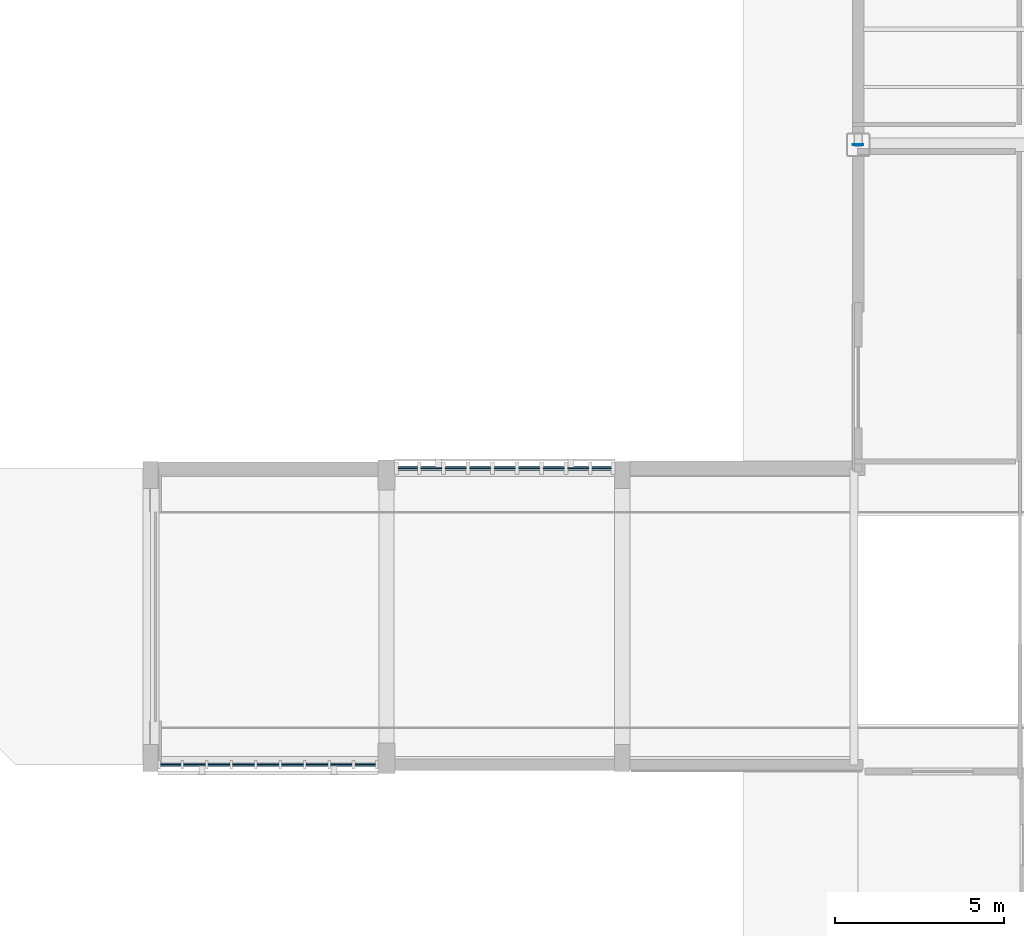
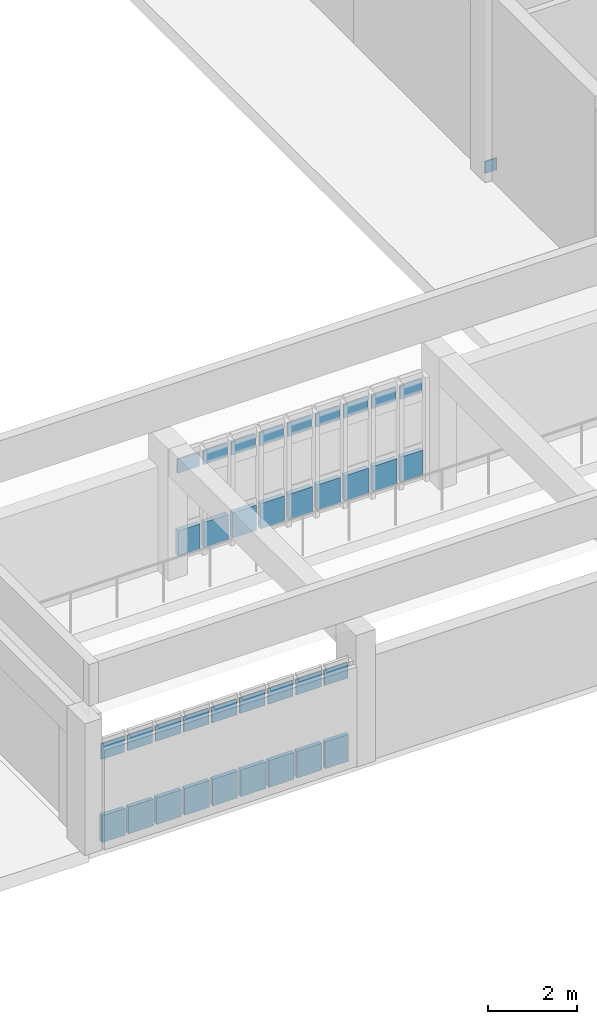
# One storey, part 73 of 111: 37 plates, 2 elements without a shape of their own.
"""IFC4 building model written with IfcOpenShell, lengths in metres."""

from ifc_helpers import new_model, si_unit, direction, frame, origin, origin_2d, place, context, subcontext, project, spatial, rectangle, extrude, material, layer, layer_set, type_object, element, aggregate, save


model = new_model("IFC4")

# Units and contexts
model_context = context("Model", 3, precision=1e-05, world=origin(), true_north=direction((0.0, 1.0)))
body_context = subcontext(model_context, "Body", "Model", "MODEL_VIEW")
ifc_project = project(units=[si_unit("LENGTHUNIT", "METRE"), si_unit("AREAUNIT", "SQUARE_METRE"), si_unit("VOLUMEUNIT", "CUBIC_METRE"), si_unit("PLANEANGLEUNIT", "RADIAN"), si_unit("MASSUNIT", "GRAM", prefix="KILO")], contexts=[model_context])

# Site, building, storey
site_placement = place(None, origin())
site = spatial("IfcSite", under=ifc_project, at=site_placement, CompositionType="ELEMENT")
building_placement = place(site_placement, origin())
building = spatial("IfcBuilding", under=site, at=building_placement, Name="Larkvane Passage Sports Hall", CompositionType="ELEMENT")
storey_placement = place(building_placement, origin())
storey = spatial("IfcBuildingStorey", under=building, at=storey_placement, Name="L00", CompositionType="ELEMENT", Elevation=0.0)

# Curtain wall, plates
ifc_material_1 = material(Name="Thermally broken aluminium and low-E glazing", Category="aluminium")
curtain_wall_type_1 = type_object("IfcCurtainWallType", Name="CW-STICK-FOYER", PredefinedType="USERDEFINED", material=ifc_material_1)
curtain_wall_1_placement = place(storey_placement, origin())
curtain_wall_1 = element("IfcCurtainWall", 1, at=curtain_wall_1_placement, inside=storey, type_object=curtain_wall_type_1, Name="Curtain wall CW5-L00-006", ObjectType="STICK CURTAIN WALL", PredefinedType="USERDEFINED")
ifc_material_2 = material(Name="Fire-stopped shadow-box spandrel panel")
ifc_layer_1 = layer(ifc_material_2, 0.10498046875)
ifc_layer_set_1 = layer_set([ifc_layer_1], Name="Fire-stopped shadow-box spandrel panel")
plate_type_1 = type_object("IfcPlateType", Name="CWP-SPD-105", PredefinedType="CURTAIN_PANEL", material=ifc_layer_set_1)
plate_1_placement = place(storey_placement, frame((20.171142578125, 33.199951171875, 0.080078125), z_axis=(0.0, 0.0, 1.0), x_axis=(-1.0, 0.0, 0.0)))
plate_1 = element("IfcPlate", 2, at=plate_1_placement, type_object=plate_type_1, Name="CW-03 panel 1.1", PredefinedType="CURTAIN_PANEL", context=body_context, shape_type="SweptSolid", body=[
    extrude(rectangle(XDim=0.60595703125, YDim=0.10498046875, at=origin_2d()), origin(), (0.0, 0.0, 1.0), 0.72998046875),
])
plate_2_placement = place(storey_placement, frame((19.465087890625, 33.199951171875, 0.080078125), z_axis=(0.0, 0.0, 1.0), x_axis=(-1.0, 0.0, 0.0)))
plate_2 = element("IfcPlate", 3, at=plate_2_placement, type_object=plate_type_1, Name="CW-03 panel 2.1", PredefinedType="CURTAIN_PANEL", context=body_context, shape_type="SweptSolid", body=[
    extrude(rectangle(XDim=0.64599609375, YDim=0.10498046875, at=origin_2d()), origin(), (0.0, 0.0, 1.0), 0.72998046875),
])
plate_3_placement = place(storey_placement, frame((18.7392578125, 33.199951171875, 0.080078125), z_axis=(0.0, 0.0, 1.0), x_axis=(-1.0, 0.0, 0.0)))
plate_3 = element("IfcPlate", 4, at=plate_3_placement, type_object=plate_type_1, Name="CW-03 panel 3.1", PredefinedType="CURTAIN_PANEL", context=body_context, shape_type="SweptSolid", body=[
    extrude(rectangle(XDim=0.64599609375, YDim=0.10498046875, at=origin_2d()), origin(), (0.0, 0.0, 1.0), 0.72998046875),
])
plate_4_placement = place(storey_placement, frame((18.013427734375, 33.199951171875, 0.080078125), z_axis=(0.0, 0.0, 1.0), x_axis=(-1.0, 0.0, 0.0)))
plate_4 = element("IfcPlate", 5, at=plate_4_placement, type_object=plate_type_1, Name="CW-03 panel 4.1", PredefinedType="CURTAIN_PANEL", context=body_context, shape_type="SweptSolid", body=[
    extrude(rectangle(XDim=0.64599609375, YDim=0.10498046875, at=origin_2d()), origin(), (0.0, 0.0, 1.0), 0.72998046875),
])
plate_5_placement = place(storey_placement, frame((17.28759765625, 33.199951171875, 0.080078125), z_axis=(0.0, 0.0, 1.0), x_axis=(-1.0, 0.0, 0.0)))
plate_5 = element("IfcPlate", 6, at=plate_5_placement, type_object=plate_type_1, Name="CW-03 panel 5.1", PredefinedType="CURTAIN_PANEL", context=body_context, shape_type="SweptSolid", body=[
    extrude(rectangle(XDim=0.64599609375, YDim=0.10498046875, at=origin_2d()), origin(), (0.0, 0.0, 1.0), 0.72998046875),
])
plate_6_placement = place(storey_placement, frame((16.5615234375, 33.199951171875, 0.080078125), z_axis=(0.0, 0.0, 1.0), x_axis=(-1.0, 0.0, 0.0)))
plate_6 = element("IfcPlate", 7, at=plate_6_placement, type_object=plate_type_1, Name="CW-03 panel 6.1", PredefinedType="CURTAIN_PANEL", context=body_context, shape_type="SweptSolid", body=[
    extrude(rectangle(XDim=0.64599609375, YDim=0.10498046875, at=origin_2d()), origin(), (0.0, 0.0, 1.0), 0.72998046875),
])
plate_7_placement = place(storey_placement, frame((15.835693359375, 33.199951171875, 0.080078125), z_axis=(0.0, 0.0, 1.0), x_axis=(-1.0, 0.0, 0.0)))
plate_7 = element("IfcPlate", 8, at=plate_7_placement, type_object=plate_type_1, Name="CW-03 panel 7.1", PredefinedType="CURTAIN_PANEL", context=body_context, shape_type="SweptSolid", body=[
    extrude(rectangle(XDim=0.64599609375, YDim=0.10498046875, at=origin_2d()), origin(), (0.0, 0.0, 1.0), 0.72998046875),
])
plate_8_placement = place(storey_placement, frame((15.10986328125, 33.199951171875, 0.080078125), z_axis=(0.0, 0.0, 1.0), x_axis=(-1.0, 0.0, 0.0)))
plate_8 = element("IfcPlate", 9, at=plate_8_placement, type_object=plate_type_1, Name="CW-03 panel 8.1", PredefinedType="CURTAIN_PANEL", context=body_context, shape_type="SweptSolid", body=[
    extrude(rectangle(XDim=0.64599609375, YDim=0.10498046875, at=origin_2d()), origin(), (0.0, 0.0, 1.0), 0.72998046875),
])
plate_9_placement = place(storey_placement, frame((14.404052734375, 33.199951171875, 0.080078125), z_axis=(0.0, 0.0, 1.0), x_axis=(-1.0, 0.0, 0.0)))
plate_9 = element("IfcPlate", 10, at=plate_9_placement, type_object=plate_type_1, Name="CW-03 panel 9.1", PredefinedType="CURTAIN_PANEL", context=body_context, shape_type="SweptSolid", body=[
    extrude(rectangle(XDim=0.60595703125, YDim=0.10498046875, at=origin_2d()), origin(), (0.0, 0.0, 1.0), 0.72998046875),
])

curtain_wall_type_2 = type_object("IfcCurtainWallType", Name="CW-CLINIC", PredefinedType="USERDEFINED", material=ifc_material_1)
curtain_wall_2_placement = place(storey_placement, origin())
curtain_wall_2 = element("IfcCurtainWall", 11, at=curtain_wall_2_placement, inside=storey, type_object=curtain_wall_type_2, Name="Curtain wall CW5-L00-007", ObjectType="UNITISED CURTAIN WALL", PredefinedType="USERDEFINED")
ifc_material_3 = material(Name="Deep insulated facade spandrel panel")
ifc_layer_2 = layer(ifc_material_3, 0.125)
ifc_layer_set_2 = layer_set([ifc_layer_2], Name="Deep insulated facade spandrel panel")
plate_type_2 = type_object("IfcPlateType", Name="CWP-SPD-125", PredefinedType="CURTAIN_PANEL", material=ifc_layer_set_2)
plate_10_placement = place(storey_placement, frame((21.4365234375, 42.0, 0.10986328125), z_axis=(0.0, 0.0, 1.0), x_axis=(1.0, 0.0, 0.0)))
plate_10 = element("IfcPlate", 12, at=plate_10_placement, type_object=plate_type_2, Name="CW-05 panel 1.1", PredefinedType="CURTAIN_PANEL", context=body_context, shape_type="SweptSolid", body=[
    extrude(rectangle(XDim=0.560791015625, YDim=0.125, at=origin_2d()), origin(), (0.0, 0.0, 1.0), 0.68505859375),
])
plate_11_placement = place(storey_placement, frame((22.134765625, 42.0, 0.10986328125), z_axis=(0.0, 0.0, 1.0), x_axis=(1.0, 0.0, 0.0)))
plate_11 = element("IfcPlate", 13, at=plate_11_placement, type_object=plate_type_2, Name="CW-05 panel 2.1", PredefinedType="CURTAIN_PANEL", context=body_context, shape_type="SweptSolid", body=[
    extrude(rectangle(XDim=0.615966796875, YDim=0.125, at=origin_2d()), origin(), (0.0, 0.0, 1.0), 0.68505859375),
])
plate_12_placement = place(storey_placement, frame((22.86083984375, 42.0, 0.10986328125), z_axis=(0.0, 0.0, 1.0), x_axis=(1.0, 0.0, 0.0)))
plate_12 = element("IfcPlate", 14, at=plate_12_placement, type_object=plate_type_2, Name="CW-05 panel 3.1", PredefinedType="CURTAIN_PANEL", context=body_context, shape_type="SweptSolid", body=[
    extrude(rectangle(XDim=0.615966796875, YDim=0.125, at=origin_2d()), origin(), (0.0, 0.0, 1.0), 0.68505859375),
])
plate_13_placement = place(storey_placement, frame((23.586669921875, 42.0, 0.10986328125), z_axis=(0.0, 0.0, 1.0), x_axis=(1.0, 0.0, 0.0)))
plate_13 = element("IfcPlate", 15, at=plate_13_placement, type_object=plate_type_2, Name="CW-05 panel 4.1", PredefinedType="CURTAIN_PANEL", context=body_context, shape_type="SweptSolid", body=[
    extrude(rectangle(XDim=0.615966796875, YDim=0.125, at=origin_2d()), origin(), (0.0, 0.0, 1.0), 0.68505859375),
])
plate_14_placement = place(storey_placement, frame((24.3125, 42.0, 0.10986328125), z_axis=(0.0, 0.0, 1.0), x_axis=(1.0, 0.0, 0.0)))
plate_14 = element("IfcPlate", 16, at=plate_14_placement, type_object=plate_type_2, Name="CW-05 panel 5.1", PredefinedType="CURTAIN_PANEL", context=body_context, shape_type="SweptSolid", body=[
    extrude(rectangle(XDim=0.615966796875, YDim=0.125, at=origin_2d()), origin(), (0.0, 0.0, 1.0), 0.68505859375),
])
plate_15_placement = place(storey_placement, frame((25.038330078125, 42.0, 0.10986328125), z_axis=(0.0, 0.0, 1.0), x_axis=(1.0, 0.0, 0.0)))
plate_15 = element("IfcPlate", 17, at=plate_15_placement, type_object=plate_type_2, Name="CW-05 panel 6.1", PredefinedType="CURTAIN_PANEL", context=body_context, shape_type="SweptSolid", body=[
    extrude(rectangle(XDim=0.615966796875, YDim=0.125, at=origin_2d()), origin(), (0.0, 0.0, 1.0), 0.68505859375),
])
plate_16_placement = place(storey_placement, frame((25.76416015625, 42.0, 0.10986328125), z_axis=(0.0, 0.0, 1.0), x_axis=(1.0, 0.0, 0.0)))
plate_16 = element("IfcPlate", 18, at=plate_16_placement, type_object=plate_type_2, Name="CW-05 panel 7.1", PredefinedType="CURTAIN_PANEL", context=body_context, shape_type="SweptSolid", body=[
    extrude(rectangle(XDim=0.615966796875, YDim=0.125, at=origin_2d()), origin(), (0.0, 0.0, 1.0), 0.68505859375),
])
plate_17_placement = place(storey_placement, frame((26.490234375, 42.0, 0.10986328125), z_axis=(0.0, 0.0, 1.0), x_axis=(1.0, 0.0, 0.0)))
plate_17 = element("IfcPlate", 19, at=plate_17_placement, type_object=plate_type_2, Name="CW-05 panel 8.1", PredefinedType="CURTAIN_PANEL", context=body_context, shape_type="SweptSolid", body=[
    extrude(rectangle(XDim=0.615966796875, YDim=0.125, at=origin_2d()), origin(), (0.0, 0.0, 1.0), 0.68505859375),
])
plate_18_placement = place(storey_placement, frame((27.1884765625, 42.0, 0.10986328125), z_axis=(0.0, 0.0, 1.0), x_axis=(1.0, 0.0, 0.0)))
plate_18 = element("IfcPlate", 20, at=plate_18_placement, type_object=plate_type_2, Name="CW-05 panel 9.1", PredefinedType="CURTAIN_PANEL", context=body_context, shape_type="SweptSolid", body=[
    extrude(rectangle(XDim=0.560791015625, YDim=0.125, at=origin_2d()), origin(), (0.0, 0.0, 1.0), 0.68505859375),
])

# Plate
ifc_material_4 = material(Name="High-impact court low-E glazing", Category="glass")
ifc_layer_3 = layer(ifc_material_4, 0.035888671875)
ifc_layer_set_3 = layer_set([ifc_layer_3], Name="High-impact court low-E glazing")
plate_type_3 = type_object("IfcPlateType", Name="CWP-VIS-36", PredefinedType="CURTAIN_PANEL", material=ifc_layer_set_3)
plate_19_placement = place(storey_placement, frame((20.171142578125, 33.199951171875, 2.328125), z_axis=(0.0, 0.0, 1.0), x_axis=(-1.0, 0.0, 0.0)))
plate_19 = element("IfcPlate", 21, at=plate_19_placement, type_object=plate_type_3, Name="CW-03 panel 1.3", PredefinedType="CURTAIN_PANEL", context=body_context, shape_type="SweptSolid", body=[
    extrude(rectangle(XDim=0.60595703125, YDim=0.035888671875, at=origin_2d()), origin(), (0.0, 0.0, 1.0), 0.429931640625),
])

plate_20_placement = place(storey_placement, frame((19.465087890625, 33.199951171875, 2.328125), z_axis=(0.0, 0.0, 1.0), x_axis=(-1.0, 0.0, 0.0)))
plate_20 = element("IfcPlate", 22, at=plate_20_placement, type_object=plate_type_3, Name="CW-03 panel 2.3", PredefinedType="CURTAIN_PANEL", context=body_context, shape_type="SweptSolid", body=[
    extrude(rectangle(XDim=0.64599609375, YDim=0.035888671875, at=origin_2d()), origin(), (0.0, 0.0, 1.0), 0.429931640625),
])

plate_21_placement = place(storey_placement, frame((18.7392578125, 33.199951171875, 2.328125), z_axis=(0.0, 0.0, 1.0), x_axis=(-1.0, 0.0, 0.0)))
plate_21 = element("IfcPlate", 23, at=plate_21_placement, type_object=plate_type_3, Name="CW-03 panel 3.3", PredefinedType="CURTAIN_PANEL", context=body_context, shape_type="SweptSolid", body=[
    extrude(rectangle(XDim=0.64599609375, YDim=0.035888671875, at=origin_2d()), origin(), (0.0, 0.0, 1.0), 0.429931640625),
])

plate_22_placement = place(storey_placement, frame((18.013427734375, 33.199951171875, 2.328125), z_axis=(0.0, 0.0, 1.0), x_axis=(-1.0, 0.0, 0.0)))
plate_22 = element("IfcPlate", 24, at=plate_22_placement, type_object=plate_type_3, Name="CW-03 panel 4.3", PredefinedType="CURTAIN_PANEL", context=body_context, shape_type="SweptSolid", body=[
    extrude(rectangle(XDim=0.64599609375, YDim=0.035888671875, at=origin_2d()), origin(), (0.0, 0.0, 1.0), 0.429931640625),
])

plate_23_placement = place(storey_placement, frame((17.28759765625, 33.199951171875, 2.328125), z_axis=(0.0, 0.0, 1.0), x_axis=(-1.0, 0.0, 0.0)))
plate_23 = element("IfcPlate", 25, at=plate_23_placement, type_object=plate_type_3, Name="CW-03 panel 5.3", PredefinedType="CURTAIN_PANEL", context=body_context, shape_type="SweptSolid", body=[
    extrude(rectangle(XDim=0.64599609375, YDim=0.035888671875, at=origin_2d()), origin(), (0.0, 0.0, 1.0), 0.429931640625),
])

plate_24_placement = place(storey_placement, frame((16.5615234375, 33.199951171875, 2.328125), z_axis=(0.0, 0.0, 1.0), x_axis=(-1.0, 0.0, 0.0)))
plate_24 = element("IfcPlate", 26, at=plate_24_placement, type_object=plate_type_3, Name="CW-03 panel 6.3", PredefinedType="CURTAIN_PANEL", context=body_context, shape_type="SweptSolid", body=[
    extrude(rectangle(XDim=0.64599609375, YDim=0.035888671875, at=origin_2d()), origin(), (0.0, 0.0, 1.0), 0.429931640625),
])

plate_25_placement = place(storey_placement, frame((15.835693359375, 33.199951171875, 2.328125), z_axis=(0.0, 0.0, 1.0), x_axis=(-1.0, 0.0, 0.0)))
plate_25 = element("IfcPlate", 27, at=plate_25_placement, type_object=plate_type_3, Name="CW-03 panel 7.3", PredefinedType="CURTAIN_PANEL", context=body_context, shape_type="SweptSolid", body=[
    extrude(rectangle(XDim=0.64599609375, YDim=0.035888671875, at=origin_2d()), origin(), (0.0, 0.0, 1.0), 0.429931640625),
])

plate_26_placement = place(storey_placement, frame((15.10986328125, 33.199951171875, 2.328125), z_axis=(0.0, 0.0, 1.0), x_axis=(-1.0, 0.0, 0.0)))
plate_26 = element("IfcPlate", 28, at=plate_26_placement, type_object=plate_type_3, Name="CW-03 panel 8.3", PredefinedType="CURTAIN_PANEL", context=body_context, shape_type="SweptSolid", body=[
    extrude(rectangle(XDim=0.64599609375, YDim=0.035888671875, at=origin_2d()), origin(), (0.0, 0.0, 1.0), 0.429931640625),
])

plate_27_placement = place(storey_placement, frame((14.404052734375, 33.199951171875, 2.328125), z_axis=(0.0, 0.0, 1.0), x_axis=(-1.0, 0.0, 0.0)))
plate_27 = element("IfcPlate", 29, at=plate_27_placement, type_object=plate_type_3, Name="CW-03 panel 9.3", PredefinedType="CURTAIN_PANEL", context=body_context, shape_type="SweptSolid", body=[
    extrude(rectangle(XDim=0.60595703125, YDim=0.035888671875, at=origin_2d()), origin(), (0.0, 0.0, 1.0), 0.429931640625),
])

aggregate(curtain_wall_1, [plate_1, plate_19, plate_2, plate_20, plate_3, plate_21, plate_4, plate_22, plate_5, plate_23, plate_6, plate_24, plate_7, plate_25, plate_8, plate_26, plate_9, plate_27])

ifc_material_5 = material(Name="Triple-laminated typhoon glazing", Category="glass")
ifc_layer_4 = layer(ifc_material_5, 0.0419921875)
ifc_layer_set_4 = layer_set([ifc_layer_4], Name="Triple-laminated typhoon glazing")
plate_type_4 = type_object("IfcPlateType", Name="CWP-VIS-42", PredefinedType="CURTAIN_PANEL", material=ifc_layer_set_4)
plate_28_placement = place(storey_placement, frame((21.4365234375, 42.0, 2.3427734375), z_axis=(0.0, 0.0, 1.0), x_axis=(1.0, 0.0, 0.0)))
plate_28 = element("IfcPlate", 30, at=plate_28_placement, type_object=plate_type_4, Name="CW-05 panel 1.3", PredefinedType="CURTAIN_PANEL", context=body_context, shape_type="SweptSolid", body=[
    extrude(rectangle(XDim=0.560791015625, YDim=0.0419921875, at=origin_2d()), origin(), (0.0, 0.0, 1.0), 0.385009765625),
])

plate_29_placement = place(storey_placement, frame((22.134765625, 42.0, 2.3427734375), z_axis=(0.0, 0.0, 1.0), x_axis=(1.0, 0.0, 0.0)))
plate_29 = element("IfcPlate", 31, at=plate_29_placement, type_object=plate_type_4, Name="CW-05 panel 2.3", PredefinedType="CURTAIN_PANEL", context=body_context, shape_type="SweptSolid", body=[
    extrude(rectangle(XDim=0.615966796875, YDim=0.0419921875, at=origin_2d()), origin(), (0.0, 0.0, 1.0), 0.385009765625),
])

plate_30_placement = place(storey_placement, frame((22.86083984375, 42.0, 2.3427734375), z_axis=(0.0, 0.0, 1.0), x_axis=(1.0, 0.0, 0.0)))
plate_30 = element("IfcPlate", 32, at=plate_30_placement, type_object=plate_type_4, Name="CW-05 panel 3.3", PredefinedType="CURTAIN_PANEL", context=body_context, shape_type="SweptSolid", body=[
    extrude(rectangle(XDim=0.615966796875, YDim=0.0419921875, at=origin_2d()), origin(), (0.0, 0.0, 1.0), 0.385009765625),
])

plate_31_placement = place(storey_placement, frame((23.586669921875, 42.0, 2.3427734375), z_axis=(0.0, 0.0, 1.0), x_axis=(1.0, 0.0, 0.0)))
plate_31 = element("IfcPlate", 33, at=plate_31_placement, type_object=plate_type_4, Name="CW-05 panel 4.3", PredefinedType="CURTAIN_PANEL", context=body_context, shape_type="SweptSolid", body=[
    extrude(rectangle(XDim=0.615966796875, YDim=0.0419921875, at=origin_2d()), origin(), (0.0, 0.0, 1.0), 0.385009765625),
])

plate_32_placement = place(storey_placement, frame((24.3125, 42.0, 2.3427734375), z_axis=(0.0, 0.0, 1.0), x_axis=(1.0, 0.0, 0.0)))
plate_32 = element("IfcPlate", 34, at=plate_32_placement, type_object=plate_type_4, Name="CW-05 panel 5.3", PredefinedType="CURTAIN_PANEL", context=body_context, shape_type="SweptSolid", body=[
    extrude(rectangle(XDim=0.615966796875, YDim=0.0419921875, at=origin_2d()), origin(), (0.0, 0.0, 1.0), 0.385009765625),
])

plate_33_placement = place(storey_placement, frame((25.038330078125, 42.0, 2.3427734375), z_axis=(0.0, 0.0, 1.0), x_axis=(1.0, 0.0, 0.0)))
plate_33 = element("IfcPlate", 35, at=plate_33_placement, type_object=plate_type_4, Name="CW-05 panel 6.3", PredefinedType="CURTAIN_PANEL", context=body_context, shape_type="SweptSolid", body=[
    extrude(rectangle(XDim=0.615966796875, YDim=0.0419921875, at=origin_2d()), origin(), (0.0, 0.0, 1.0), 0.385009765625),
])

plate_34_placement = place(storey_placement, frame((25.76416015625, 42.0, 2.3427734375), z_axis=(0.0, 0.0, 1.0), x_axis=(1.0, 0.0, 0.0)))
plate_34 = element("IfcPlate", 36, at=plate_34_placement, type_object=plate_type_4, Name="CW-05 panel 7.3", PredefinedType="CURTAIN_PANEL", context=body_context, shape_type="SweptSolid", body=[
    extrude(rectangle(XDim=0.615966796875, YDim=0.0419921875, at=origin_2d()), origin(), (0.0, 0.0, 1.0), 0.385009765625),
])

plate_35_placement = place(storey_placement, frame((26.490234375, 42.0, 2.3427734375), z_axis=(0.0, 0.0, 1.0), x_axis=(1.0, 0.0, 0.0)))
plate_35 = element("IfcPlate", 37, at=plate_35_placement, type_object=plate_type_4, Name="CW-05 panel 8.3", PredefinedType="CURTAIN_PANEL", context=body_context, shape_type="SweptSolid", body=[
    extrude(rectangle(XDim=0.615966796875, YDim=0.0419921875, at=origin_2d()), origin(), (0.0, 0.0, 1.0), 0.385009765625),
])

plate_36_placement = place(storey_placement, frame((27.1884765625, 42.0, 2.3427734375), z_axis=(0.0, 0.0, 1.0), x_axis=(1.0, 0.0, 0.0)))
plate_36 = element("IfcPlate", 38, at=plate_36_placement, type_object=plate_type_4, Name="CW-05 panel 9.3", PredefinedType="CURTAIN_PANEL", context=body_context, shape_type="SweptSolid", body=[
    extrude(rectangle(XDim=0.560791015625, YDim=0.0419921875, at=origin_2d()), origin(), (0.0, 0.0, 1.0), 0.385009765625),
])

aggregate(curtain_wall_2, [plate_10, plate_28, plate_11, plate_29, plate_12, plate_30, plate_13, plate_31, plate_14, plate_32, plate_15, plate_33, plate_16, plate_34, plate_17, plate_35, plate_18, plate_36])

ifc_material_6 = material(Name="Steel S355JR", Category="steel")
ifc_layer_5 = layer(ifc_material_6, 0.011962890625)
ifc_layer_set_5 = layer_set([ifc_layer_5], Name="Steel S355JR")
plate_type_5 = type_object("IfcPlateType", Name="PLT-CAP-12", PredefinedType="SHEET", material=ifc_layer_set_5)
plate_37_placement = place(storey_placement, frame((34.800048828125, 51.594482421875, -0.01611328125), z_axis=(0.0, 0.0, 1.0), x_axis=(-1.0, 0.0, 0.0)))
element("IfcPlate", 39, at=plate_37_placement, inside=storey, type_object=plate_type_5, Name="Hollow section sealed end cap plate 0556", PredefinedType="SHEET", context=body_context, shape_type="SweptSolid", body=[
    extrude(rectangle(XDim=0.31005859375, YDim=0.028076171875, at=origin_2d()), origin(), (0.0, 0.0, 1.0), 0.327880859375),
])

save(model, "model.ifc")
